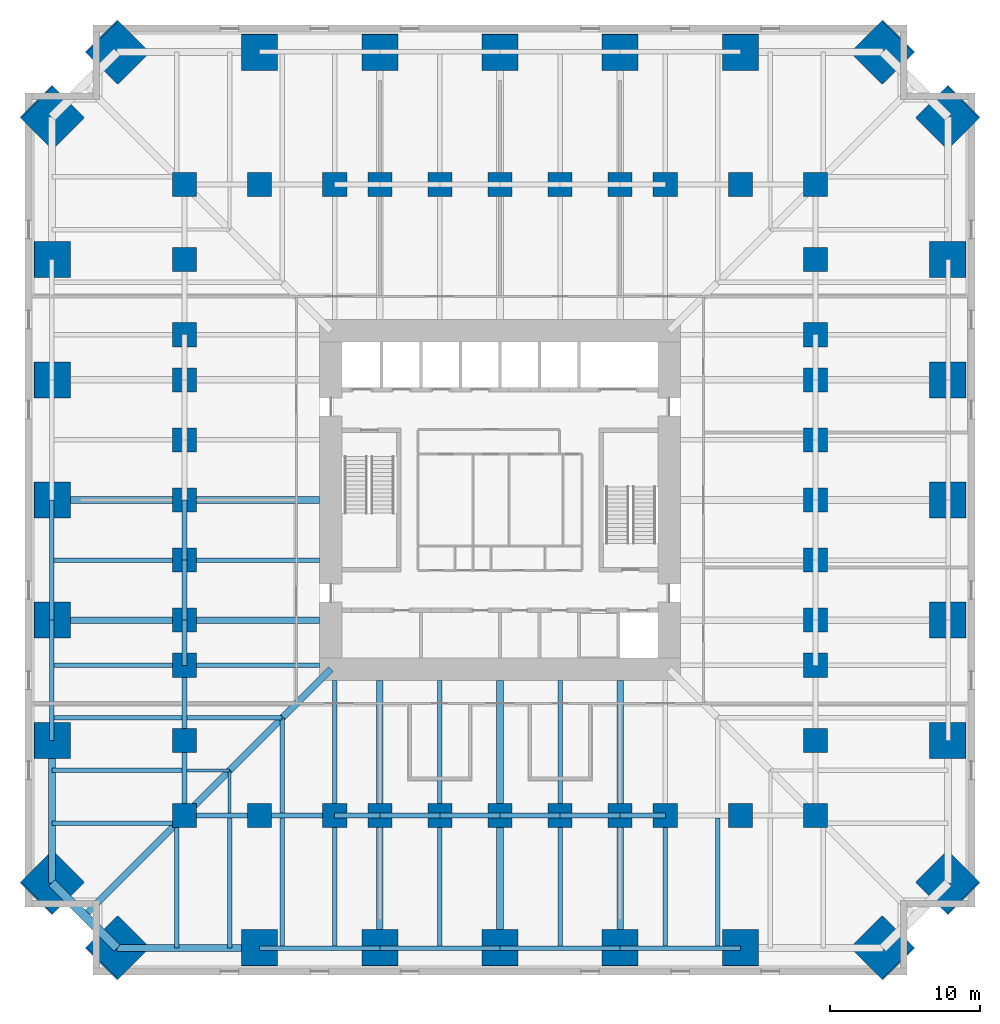
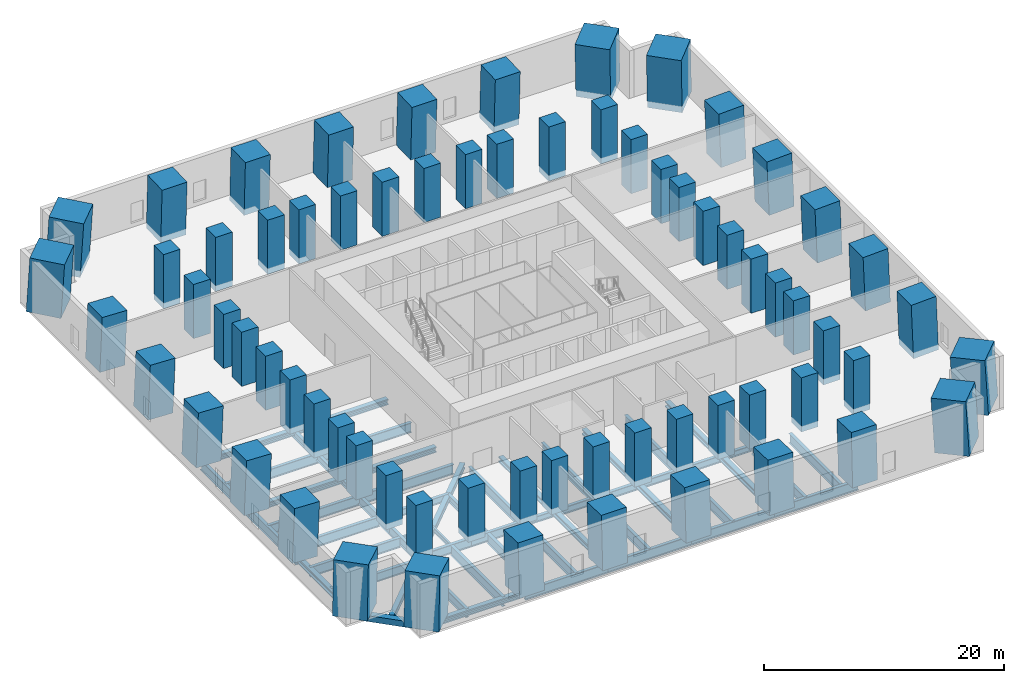
# One storey, part 1 of 8: 68 columns, 56 beams.
"""IFC4 building model written with IfcOpenShell, lengths in metres."""

from ifc_helpers import new_model, si_unit, direction, frame, origin, origin_2d, place, context, subcontext, project, spatial, rectangle, hollow_rectangle, i_section, extrude, material, material_profile, profile_set, type_object, element, save


model = new_model("IFC4")

# Units and contexts
model_context = context("Model", 3, precision=1e-05, world=origin(), true_north=direction((0.0, 1.0)))
body_context = subcontext(model_context, "Body", "Model", "MODEL_VIEW")
ifc_project = project(units=[si_unit("LENGTHUNIT", "METRE"), si_unit("AREAUNIT", "SQUARE_METRE"), si_unit("VOLUMEUNIT", "CUBIC_METRE"), si_unit("PLANEANGLEUNIT", "RADIAN"), si_unit("MASSUNIT", "GRAM", prefix="KILO")], contexts=[model_context])

# Site, building, storey
site_placement = place(None, origin())
site = spatial("IfcSite", under=ifc_project, at=site_placement, CompositionType="ELEMENT")
building_placement = place(site_placement, origin())
building = spatial("IfcBuilding", under=site, at=building_placement, Name="Peilmerk Tower", CompositionType="ELEMENT")
storey_placement = place(building_placement, frame((0.0, 0.0, 26.5)))
storey = spatial("IfcBuildingStorey", under=building, at=storey_placement, Name="L05", CompositionType="ELEMENT", Elevation=26.5)

# Columns
ifc_material_1 = material(Name="Concrete C90/105", Category="concrete")
ifc_material_profile_1 = material_profile(ifc_material_1, rectangle(XDim=3.0, YDim=3.0, at=origin_2d()), Name="RC 3000x3000")
ifc_profile_set_1 = profile_set([ifc_material_profile_1], Name="Concrete C90/105")
column_type_1 = type_object("IfcColumnType", Name="MC1 3000x3000 encased mega column", PredefinedType="COLUMN", material=ifc_profile_set_1)
for number, where, z_axis, x_axis, name in (
    (1, (25.478271484375, 29.828125, 0.0), (-0.040284325109, -0.04024000792, 0.998377641433), (0.706717512472, -0.707495835723, 0.0), "Mega column MC1 NE_N L05"),
    (2, (29.828125, 25.478271484375, 0.0), (-0.04024000792, -0.040284325109, 0.998377641433), (0.707495835723, -0.706717512472, 0.0), "Mega column MC1 NE_E L05"),
    (3, (29.828125, -25.478271484375, 0.0), (-0.04024000792, 0.040284325109, 0.998377641433), (-0.707495835723, -0.706717512472, 0.0), "Mega column MC1 SE_E L05"),
    (4, (25.478271484375, -29.828125, 0.0), (-0.040284325109, 0.04024000792, 0.998377641433), (-0.706717512472, -0.707495835723, 0.0), "Mega column MC1 SE_S L05"),
    (5, (-25.478271484375, -29.828125, 0.0), (0.040284325109, 0.04024000792, 0.998377641433), (-0.706717512472, 0.707495835723, 0.0), "Mega column MC1 SW_S L05"),
    (6, (-29.828125, -25.478271484375, 0.0), (0.04024000792, 0.040284325109, 0.998377641433), (-0.707495835723, 0.706717512472, 0.0), "Mega column MC1 SW_W L05"),
    (7, (-29.828125, 25.478271484375, 0.0), (0.04024000792, -0.040284325109, 0.998377641433), (0.707495835723, 0.706717512472, 0.0), "Mega column MC1 NW_W L05"),
    (8, (-25.478271484375, 29.828125, 0.0), (0.040284325109, -0.04024000792, 0.998377641433), (0.706717512472, 0.707495835723, 0.0), "Mega column MC1 NW_N L05"),
):
    element("IfcColumn", number, at=place(storey_placement, frame(where, z_axis=z_axis, x_axis=x_axis)), inside=storey, type_object=column_type_1, Name=name, PredefinedType="COLUMN", context=body_context, shape_type="SweptSolid", body=[
        extrude(rectangle(XDim=3.0, YDim=3.0, at=origin_2d()), origin(), (0.0, 0.0, 1.0), 5.509033203125),
    ])
ifc_material_profile_2 = material_profile(ifc_material_1, rectangle(XDim=2.39990234375, YDim=2.39990234375, at=origin_2d()), Name="RC 2400x2400")
ifc_profile_set_2 = profile_set([ifc_material_profile_2], Name="Concrete C90/105")
column_type_2 = type_object("IfcColumnType", Name="SC1 2400x2400 encased perimeter column", PredefinedType="COLUMN", material=ifc_profile_set_2)
for number, where, z_axis, x_axis, name in (
    (9, (0.0, 29.828125, 0.0), (0.0, -0.040272698997, 0.999188725775), (1.0, 0.0, 0.0), "Perimeter column N+0 L05"),
    (10, (8.0, 29.828125, 0.0), (0.0, -0.040272698997, 0.999188725775), (1.0, 0.0, 0.0), "Perimeter column N-8 L05"),
    (11, (-8.0, 29.828125, 0.0), (0.0, -0.040272698997, 0.999188725775), (1.0, 0.0, 0.0), "Perimeter column N+8 L05"),
    (12, (16.0, 29.828125, 0.0), (0.0, -0.040272698997, 0.999188725775), (1.0, 0.0, 0.0), "Perimeter column N-16 L05"),
    (13, (-16.0, 29.828125, 0.0), (0.0, -0.040272698997, 0.999188725775), (1.0, 0.0, 0.0), "Perimeter column N+16 L05"),
    (14, (29.828125, 0.0, 0.0), (-0.040272698997, 0.0, 0.999188725775), (0.0, -1.0, 0.0), "Perimeter column E+0 L05"),
    (15, (29.828125, -8.0, 0.0), (-0.040272698997, 0.0, 0.999188725775), (0.0, -1.0, 0.0), "Perimeter column E-8 L05"),
    (16, (29.828125, 8.0, 0.0), (-0.040272698997, 0.0, 0.999188725775), (0.0, -1.0, 0.0), "Perimeter column E+8 L05"),
    (17, (29.828125, -16.0, 0.0), (-0.040272698997, 0.0, 0.999188725775), (0.0, -1.0, 0.0), "Perimeter column E-16 L05"),
    (18, (29.828125, 16.0, 0.0), (-0.040272698997, 0.0, 0.999188725775), (0.0, -1.0, 0.0), "Perimeter column E+16 L05"),
    (19, (0.0, -29.828125, 0.0), (0.0, 0.040272698997, 0.999188725775), (-1.0, 0.0, 0.0), "Perimeter column S+0 L05"),
    (20, (-8.0, -29.828125, 0.0), (0.0, 0.040272698997, 0.999188725775), (-1.0, 0.0, 0.0), "Perimeter column S-8 L05"),
    (21, (8.0, -29.828125, 0.0), (0.0, 0.040272698997, 0.999188725775), (-1.0, 0.0, 0.0), "Perimeter column S+8 L05"),
    (22, (-16.0, -29.828125, 0.0), (0.0, 0.040272698997, 0.999188725775), (-1.0, 0.0, 0.0), "Perimeter column S-16 L05"),
    (23, (16.0, -29.828125, 0.0), (0.0, 0.040272698997, 0.999188725775), (-1.0, 0.0, 0.0), "Perimeter column S+16 L05"),
    (24, (-29.828125, 0.0, 0.0), (0.040272698997, 0.0, 0.999188725775), (0.0, 1.0, 0.0), "Perimeter column W+0 L05"),
    (25, (-29.828125, 8.0, 0.0), (0.040272698997, 0.0, 0.999188725775), (0.0, 1.0, 0.0), "Perimeter column W-8 L05"),
    (26, (-29.828125, -8.0, 0.0), (0.040272698997, 0.0, 0.999188725775), (0.0, 1.0, 0.0), "Perimeter column W+8 L05"),
    (27, (-29.828125, 16.0, 0.0), (0.040272698997, 0.0, 0.999188725775), (0.0, 1.0, 0.0), "Perimeter column W-16 L05"),
    (28, (-29.828125, -16.0, 0.0), (0.040272698997, 0.0, 0.999188725775), (0.0, 1.0, 0.0), "Perimeter column W+16 L05"),
):
    element("IfcColumn", number, at=place(storey_placement, frame(where, z_axis=z_axis, x_axis=x_axis)), inside=storey, type_object=column_type_2, Name=name, PredefinedType="COLUMN", context=body_context, shape_type="SweptSolid", body=[
        extrude(rectangle(XDim=2.39990234375, YDim=2.39990234375, at=origin_2d()), origin(), (0.0, 0.0, 1.0), 5.50439453125),
    ])
ifc_material_profile_3 = material_profile(ifc_material_1, rectangle(XDim=1.60009765625, YDim=1.60009765625, at=origin_2d()), Name="RC 1600x1600")
ifc_profile_set_3 = profile_set([ifc_material_profile_3], Name="Concrete C90/105")
column_type_3 = type_object("IfcColumnType", Name="SC2 1600x1600 encased interior column", PredefinedType="COLUMN", material=ifc_profile_set_3)
for number, where, z_axis, x_axis, name in (
    (29, (0.0, 21.0, 0.0), (0.0, 0.0, 1.0), (1.0, 0.0, 0.0), "Interior column N+0 L05"),
    (30, (4.0, 21.0, 0.0), (0.0, 0.0, 1.0), (1.0, 0.0, 0.0), "Interior column N-4 L05"),
    (31, (-4.0, 21.0, 0.0), (0.0, 0.0, 1.0), (1.0, 0.0, 0.0), "Interior column N+4 L05"),
    (32, (8.0, 21.0, 0.0), (0.0, 0.0, 1.0), (1.0, 0.0, 0.0), "Interior column N-8 L05"),
    (33, (-8.0, 21.0, 0.0), (0.0, 0.0, 1.0), (1.0, 0.0, 0.0), "Interior column N+8 L05"),
    (34, (11.0, 21.0, 0.0), (0.0, 0.0, 1.0), (1.0, 0.0, 0.0), "Interior column N-11 L05"),
    (35, (-11.0, 21.0, 0.0), (0.0, 0.0, 1.0), (1.0, 0.0, 0.0), "Interior column N+11 L05"),
    (36, (16.0, 21.0, 0.0), (0.0, 0.0, 1.0), (1.0, 0.0, 0.0), "Interior column N-16 L05"),
    (37, (-16.0, 21.0, 0.0), (0.0, 0.0, 1.0), (1.0, 0.0, 0.0), "Interior column N+16 L05"),
    (38, (21.0, 0.0, 0.0), (0.0, 0.0, 1.0), (1.0, 0.0, 0.0), "Interior column E+0 L05"),
    (39, (21.0, -4.0, 0.0), (0.0, 0.0, 1.0), (1.0, 0.0, 0.0), "Interior column E-4 L05"),
    (40, (21.0, 4.0, 0.0), (0.0, 0.0, 1.0), (1.0, 0.0, 0.0), "Interior column E+4 L05"),
    (41, (21.0, -8.0, 0.0), (0.0, 0.0, 1.0), (1.0, 0.0, 0.0), "Interior column E-8 L05"),
    (42, (21.0, 8.0, 0.0), (0.0, 0.0, 1.0), (1.0, 0.0, 0.0), "Interior column E+8 L05"),
    (43, (21.0, -11.0, 0.0), (0.0, 0.0, 1.0), (1.0, 0.0, 0.0), "Interior column E-11 L05"),
    (44, (21.0, 11.0, 0.0), (0.0, 0.0, 1.0), (1.0, 0.0, 0.0), "Interior column E+11 L05"),
    (45, (21.0, -16.0, 0.0), (0.0, 0.0, 1.0), (1.0, 0.0, 0.0), "Interior column E-16 L05"),
    (46, (21.0, 16.0, 0.0), (0.0, 0.0, 1.0), (1.0, 0.0, 0.0), "Interior column E+16 L05"),
    (47, (0.0, -21.0, 0.0), (0.0, 0.0, 1.0), (1.0, 0.0, 0.0), "Interior column S+0 L05"),
    (48, (-4.0, -21.0, 0.0), (0.0, 0.0, 1.0), (1.0, 0.0, 0.0), "Interior column S-4 L05"),
    (49, (4.0, -21.0, 0.0), (0.0, 0.0, 1.0), (1.0, 0.0, 0.0), "Interior column S+4 L05"),
    (50, (-8.0, -21.0, 0.0), (0.0, 0.0, 1.0), (1.0, 0.0, 0.0), "Interior column S-8 L05"),
    (51, (8.0, -21.0, 0.0), (0.0, 0.0, 1.0), (1.0, 0.0, 0.0), "Interior column S+8 L05"),
    (52, (-11.0, -21.0, 0.0), (0.0, 0.0, 1.0), (1.0, 0.0, 0.0), "Interior column S-11 L05"),
    (53, (11.0, -21.0, 0.0), (0.0, 0.0, 1.0), (1.0, 0.0, 0.0), "Interior column S+11 L05"),
    (54, (-16.0, -21.0, 0.0), (0.0, 0.0, 1.0), (1.0, 0.0, 0.0), "Interior column S-16 L05"),
    (55, (16.0, -21.0, 0.0), (0.0, 0.0, 1.0), (1.0, 0.0, 0.0), "Interior column S+16 L05"),
    (56, (-21.0, 0.0, 0.0), (0.0, 0.0, 1.0), (1.0, 0.0, 0.0), "Interior column W+0 L05"),
    (57, (-21.0, 4.0, 0.0), (0.0, 0.0, 1.0), (1.0, 0.0, 0.0), "Interior column W-4 L05"),
    (58, (-21.0, -4.0, 0.0), (0.0, 0.0, 1.0), (1.0, 0.0, 0.0), "Interior column W+4 L05"),
    (59, (-21.0, 8.0, 0.0), (0.0, 0.0, 1.0), (1.0, 0.0, 0.0), "Interior column W-8 L05"),
    (60, (-21.0, -8.0, 0.0), (0.0, 0.0, 1.0), (1.0, 0.0, 0.0), "Interior column W+8 L05"),
    (61, (-21.0, 11.0, 0.0), (0.0, 0.0, 1.0), (1.0, 0.0, 0.0), "Interior column W-11 L05"),
    (62, (-21.0, -11.0, 0.0), (0.0, 0.0, 1.0), (1.0, 0.0, 0.0), "Interior column W+11 L05"),
    (63, (-21.0, 16.0, 0.0), (0.0, 0.0, 1.0), (1.0, 0.0, 0.0), "Interior column W-16 L05"),
    (64, (-21.0, -16.0, 0.0), (0.0, 0.0, 1.0), (1.0, 0.0, 0.0), "Interior column W+16 L05"),
    (65, (21.0, 21.0, 0.0), (0.0, 0.0, 1.0), (1.0, 0.0, 0.0), "Interior column NE L05"),
    (66, (21.0, -21.0, 0.0), (0.0, 0.0, 1.0), (1.0, 0.0, 0.0), "Interior column SE L05"),
    (67, (-21.0, -21.0, 0.0), (0.0, 0.0, 1.0), (1.0, 0.0, 0.0), "Interior column SW L05"),
    (68, (-21.0, 21.0, 0.0), (0.0, 0.0, 1.0), (1.0, 0.0, 0.0), "Interior column NW L05"),
):
    element("IfcColumn", number, at=place(storey_placement, frame(where, z_axis=z_axis, x_axis=x_axis)), inside=storey, type_object=column_type_3, Name=name, PredefinedType="COLUMN", context=body_context, shape_type="SweptSolid", body=[
        extrude(rectangle(XDim=1.60009765625, YDim=1.60009765625, at=origin_2d()), origin(), (0.0, 0.0, 1.0), 5.5),
    ])

# Beams
ifc_material_2 = material(Name="Steel S355", Category="steel")
ifc_material_profile_4 = material_profile(ifc_material_2, i_section(OverallWidth=0.302001953125, OverallDepth=1.008056640625, WebThickness=0.02099609375, FlangeThickness=0.0400390625, at=origin_2d()), Name="HEM 1000")
ifc_profile_set_4 = profile_set([ifc_material_profile_4], Name="Steel S355")
beam_type_1 = type_object("IfcBeamType", Name="B1 HEM 1000 edge beam", PredefinedType="SPANDREL", material=ifc_profile_set_4)
for number, where, z_axis, x_axis, name in (
    (69, (-16.0, -29.828125, -0.7041015625), (1.0, 0.0, 0.0), (0.0, 1.0, 0.0), "Edge beam L05"),
    (70, (-8.0, -29.828125, -0.7041015625), (1.0, 0.0, 0.0), (0.0, 1.0, 0.0), "Edge beam L05"),
    (71, (0.0, -29.828125, -0.7041015625), (1.0, 0.0, 0.0), (0.0, 1.0, 0.0), "Edge beam L05"),
    (72, (8.0, -29.828125, -0.7041015625), (1.0, 0.0, 0.0), (0.0, 1.0, 0.0), "Edge beam L05"),
    (73, (-29.828125, 0.0, -0.7041015625), (0.0, -1.0, 0.0), (1.0, 0.0, 0.0), "Edge beam L05"),
    (74, (-29.828125, -8.0, -0.7041015625), (0.0, -1.0, 0.0), (1.0, 0.0, 0.0), "Edge beam L05"),
):
    element("IfcBeam", number, at=place(storey_placement, frame(where, z_axis=z_axis, x_axis=x_axis)), inside=storey, type_object=beam_type_1, Name=name, PredefinedType="SPANDREL", context=body_context, shape_type="SweptSolid", body=[
        extrude(i_section(OverallWidth=0.302001953125, OverallDepth=1.008056640625, WebThickness=0.02099609375, FlangeThickness=0.0400390625, at=origin_2d()), origin(), (0.0, 0.0, 1.0), 8.0),
    ])
ifc_material_profile_5 = material_profile(ifc_material_2, i_section(OverallWidth=0.300048828125, OverallDepth=0.989990234375, WebThickness=0.0166015625, FlangeThickness=0.031005859375, at=origin_2d()), Name="HEA 1000")
ifc_profile_set_5 = profile_set([ifc_material_profile_5], Name="Steel S355")
beam_type_2 = type_object("IfcBeamType", Name="B14 HEA 1000 floor girder", PredefinedType="BEAM", material=ifc_profile_set_5)
for number, where, z_axis, x_axis, name in (
    (75, (14.5, -21.15087890625, -0.695068359375), (0.0, -1.0, 0.0), (1.0, 0.0, 0.0), "Floor beam L05"),
    (76, (-14.5, -21.15087890625, -0.695068359375), (0.0, -1.0, 0.0), (1.0, 0.0, 0.0), "Floor beam L05"),
    (77, (-21.15087890625, -14.5, -0.695068359375), (-1.0, 0.0, 0.0), (0.0, -1.0, 0.0), "Floor beam L05"),
    (78, (-18.0, -21.15087890625, -0.695068359375), (0.0, -1.0, 0.0), (1.0, 0.0, 0.0), "Floor beam L05"),
    (79, (-21.15087890625, -18.0, -0.695068359375), (-1.0, 0.0, 0.0), (0.0, -1.0, 0.0), "Floor beam L05"),
):
    element("IfcBeam", number, at=place(storey_placement, frame(where, z_axis=z_axis, x_axis=x_axis)), inside=storey, type_object=beam_type_2, Name=name, PredefinedType="BEAM", context=body_context, shape_type="SweptSolid", body=[
        extrude(i_section(OverallWidth=0.300048828125, OverallDepth=0.989990234375, WebThickness=0.0166015625, FlangeThickness=0.031005859375, at=origin_2d()), origin(), (0.0, 0.0, 1.0), 8.67724609375),
    ])
ifc_material_profile_6 = material_profile(ifc_material_2, i_section(OverallWidth=0.300048828125, OverallDepth=0.68994140625, WebThickness=0.014404296875, FlangeThickness=0.027099609375, at=origin_2d()), Name="HEA 700")
ifc_profile_set_6 = profile_set([ifc_material_profile_6], Name="Steel S355")
beam_type_3 = type_object("IfcBeamType", Name="B16 HEA 700 floor beam", PredefinedType="BEAM", material=ifc_profile_set_6)
for number, where, z_axis, x_axis, name in (
    (80, (-14.5, -14.5, -0.544921875), (0.0, -1.0, 0.0), (1.0, 0.0, 0.0), "Floor beam L05"),
    (81, (-14.5, -14.5, -0.544921875), (-1.0, 0.0, 0.0), (0.0, -1.0, 0.0), "Floor beam L05"),
):
    element("IfcBeam", number, at=place(storey_placement, frame(where, z_axis=z_axis, x_axis=x_axis)), inside=storey, type_object=beam_type_3, Name=name, PredefinedType="BEAM", context=body_context, shape_type="SweptSolid", body=[
        extrude(i_section(OverallWidth=0.300048828125, OverallDepth=0.68994140625, WebThickness=0.014404296875, FlangeThickness=0.027099609375, at=origin_2d()), origin(), (0.0, 0.0, 1.0), 6.34912109375),
    ])
ifc_material_3 = material(Name="Steel S460", Category="steel")
ifc_material_profile_7 = material_profile(ifc_material_3, i_section(OverallWidth=0.4541015625, OverallDepth=0.569091796875, WebThickness=0.077880859375, FlangeThickness=0.125, at=origin_2d()), Name="HD 400x1086")
ifc_profile_set_7 = profile_set([ifc_material_profile_7], Name="Steel S460")
beam_type_4 = type_object("IfcBeamType", Name="B17 HD 400x1086 edge beam", PredefinedType="SPANDREL", material=ifc_profile_set_7)
for number, where, z_axis, x_axis, name in (
    (82, (-25.478271484375, -29.828125, -0.484619140625), (1.0, 0.0, 0.0), (0.0, 1.0, 0.0), "Edge beam L05"),
    (83, (-29.828125, -16.0, -0.484619140625), (0.0, -1.0, 0.0), (1.0, 0.0, 0.0), "Edge beam L05"),
):
    element("IfcBeam", number, at=place(storey_placement, frame(where, z_axis=z_axis, x_axis=x_axis)), inside=storey, type_object=beam_type_4, Name=name, PredefinedType="SPANDREL", context=body_context, shape_type="SweptSolid", body=[
        extrude(i_section(OverallWidth=0.4541015625, OverallDepth=0.569091796875, WebThickness=0.077880859375, FlangeThickness=0.125, at=origin_2d()), origin(), (0.0, 0.0, 1.0), 9.478271484375),
    ])
ifc_material_profile_8 = material_profile(ifc_material_2, i_section(OverallWidth=0.302001953125, OverallDepth=0.909912109375, WebThickness=0.02099609375, FlangeThickness=0.0400390625, at=origin_2d()), Name="HEM 900")
ifc_profile_set_8 = profile_set([ifc_material_profile_8], Name="Steel S355")
beam_type_5 = type_object("IfcBeamType", Name="B18 HEM 900 ring girder", PredefinedType="BEAM", material=ifc_profile_set_8)
for number, where, z_axis, x_axis, name in (
    (84, (-21.0, -21.0, -0.655029296875), (1.0, 0.0, 0.0), (0.0, 1.0, 0.0), "Ring girder L05"),
    (85, (-16.0, -21.0, -0.655029296875), (1.0, 0.0, 0.0), (0.0, 1.0, 0.0), "Ring girder L05"),
    (86, (-21.0, -11.0, -0.655029296875), (0.0, -1.0, 0.0), (1.0, 0.0, 0.0), "Ring girder L05"),
    (87, (-21.0, -16.0, -0.655029296875), (0.0, -1.0, 0.0), (1.0, 0.0, 0.0), "Ring girder L05"),
):
    element("IfcBeam", number, at=place(storey_placement, frame(where, z_axis=z_axis, x_axis=x_axis)), inside=storey, type_object=beam_type_5, Name=name, PredefinedType="BEAM", context=body_context, shape_type="SweptSolid", body=[
        extrude(i_section(OverallWidth=0.302001953125, OverallDepth=0.909912109375, WebThickness=0.02099609375, FlangeThickness=0.0400390625, at=origin_2d()), origin(), (0.0, 0.0, 1.0), 5.0),
    ])
ifc_material_profile_9 = material_profile(ifc_material_2, i_section(OverallWidth=0.303955078125, OverallDepth=0.716064453125, WebThickness=0.02099609375, FlangeThickness=0.0400390625, at=origin_2d()), Name="HEM 700")
ifc_profile_set_9 = profile_set([ifc_material_profile_9], Name="Steel S355")
beam_type_6 = type_object("IfcBeamType", Name="B19 HEM 700 ring girder", PredefinedType="BEAM", material=ifc_profile_set_9)
for number, where, z_axis, x_axis, name in (
    (88, (-8.0, -21.0, -0.55810546875), (1.0, 0.0, 0.0), (0.0, 1.0, 0.0), "Ring girder L05"),
    (89, (-4.0, -21.0, -0.55810546875), (1.0, 0.0, 0.0), (0.0, 1.0, 0.0), "Ring girder L05"),
    (90, (0.0, -21.0, -0.55810546875), (1.0, 0.0, 0.0), (0.0, 1.0, 0.0), "Ring girder L05"),
    (91, (4.0, -21.0, -0.55810546875), (1.0, 0.0, 0.0), (0.0, 1.0, 0.0), "Ring girder L05"),
    (92, (-21.0, 0.0, -0.55810546875), (0.0, -1.0, 0.0), (1.0, 0.0, 0.0), "Ring girder L05"),
    (93, (-21.0, -4.0, -0.55810546875), (0.0, -1.0, 0.0), (1.0, 0.0, 0.0), "Ring girder L05"),
):
    element("IfcBeam", number, at=place(storey_placement, frame(where, z_axis=z_axis, x_axis=x_axis)), inside=storey, type_object=beam_type_6, Name=name, PredefinedType="BEAM", context=body_context, shape_type="SweptSolid", body=[
        extrude(i_section(OverallWidth=0.303955078125, OverallDepth=0.716064453125, WebThickness=0.02099609375, FlangeThickness=0.0400390625, at=origin_2d()), origin(), (0.0, 0.0, 1.0), 4.0),
    ])
ifc_material_profile_10 = material_profile(ifc_material_3, hollow_rectangle(XDim=0.60009765625, YDim=0.60009765625, WallThickness=0.06005859375, at=origin_2d()), Name="BOX 600x600x60")
ifc_profile_set_10 = profile_set([ifc_material_profile_10], Name="Steel S460")
beam_type_7 = type_object("IfcBeamType", Name="B20 BOX 600x600x60 notch beam", PredefinedType="SPANDREL", material=ifc_profile_set_10)
beam_1_placement = place(storey_placement, frame((-25.478271484375, -29.828125, -0.5), z_axis=(-0.707106781187, 0.707106781187, 0.0), x_axis=(-0.707106781187, -0.707106781187, 0.0)))
element("IfcBeam", 94, at=beam_1_placement, inside=storey, type_object=beam_type_7, Name="Notch beam L05", PredefinedType="SPANDREL", context=body_context, shape_type="SweptSolid", body=[
    extrude(hollow_rectangle(XDim=0.60009765625, YDim=0.60009765625, WallThickness=0.06005859375, at=origin_2d()), origin(), (0.0, 0.0, 1.0), 6.151611328125),
])
ifc_material_profile_11 = material_profile(ifc_material_2, i_section(OverallWidth=0.18994140625, OverallDepth=0.449951171875, WebThickness=0.009521484375, FlangeThickness=0.0146484375, at=origin_2d()), Name="IPE 450")
ifc_profile_set_11 = profile_set([ifc_material_profile_11], Name="Steel S355")
beam_type_8 = type_object("IfcBeamType", Name="B21 IPE 450 floor beam", PredefinedType="BEAM", material=ifc_profile_set_11)
for number, where, z_axis, x_axis, name in (
    (95, (-18.0, -18.0, -0.425048828125), (0.0, -1.0, 0.0), (1.0, 0.0, 0.0), "Floor beam L05"),
    (96, (-18.0, -18.0, -0.425048828125), (-1.0, 0.0, 0.0), (0.0, -1.0, 0.0), "Floor beam L05"),
):
    element("IfcBeam", number, at=place(storey_placement, frame(where, z_axis=z_axis, x_axis=x_axis)), inside=storey, type_object=beam_type_8, Name=name, PredefinedType="BEAM", context=body_context, shape_type="SweptSolid", body=[
        extrude(i_section(OverallWidth=0.18994140625, OverallDepth=0.449951171875, WebThickness=0.009521484375, FlangeThickness=0.0146484375, at=origin_2d()), origin(), (0.0, 0.0, 1.0), 2.84912109375),
    ])
ifc_material_profile_12 = material_profile(ifc_material_2, i_section(OverallWidth=0.300048828125, OverallDepth=0.889892578125, WebThickness=0.01611328125, FlangeThickness=0.030029296875, at=origin_2d()), Name="HEA 900")
ifc_profile_set_12 = profile_set([ifc_material_profile_12], Name="Steel S355")
beam_type_9 = type_object("IfcBeamType", Name="B4 HEA 900 floor beam", PredefinedType="BEAM", material=ifc_profile_set_12)
for number, where, z_axis, x_axis, name in (
    (97, (-21.5, -21.5, -0.64501953125), (0.0, -1.0, 0.0), (1.0, 0.0, 0.0), "Floor beam L05"),
    (98, (-21.5, -21.5, -0.64501953125), (-1.0, 0.0, 0.0), (0.0, -1.0, 0.0), "Floor beam L05"),
):
    element("IfcBeam", number, at=place(storey_placement, frame(where, z_axis=z_axis, x_axis=x_axis)), inside=storey, type_object=beam_type_9, Name=name, PredefinedType="BEAM", context=body_context, shape_type="SweptSolid", body=[
        extrude(i_section(OverallWidth=0.300048828125, OverallDepth=0.889892578125, WebThickness=0.01611328125, FlangeThickness=0.030029296875, at=origin_2d()), origin(), (0.0, 0.0, 1.0), 8.328125),
    ])
ifc_material_profile_13 = material_profile(ifc_material_2, i_section(OverallWidth=0.300048828125, OverallDepth=1.0, WebThickness=0.01904296875, FlangeThickness=0.035888671875, at=origin_2d()), Name="HEB 1000")
ifc_profile_set_13 = profile_set([ifc_material_profile_13], Name="Steel S355")
beam_type_10 = type_object("IfcBeamType", Name="B5 HEB 1000 floor girder", PredefinedType="BEAM", material=ifc_profile_set_13)
beam_2_placement = place(storey_placement, frame((-11.0, -12.0, -0.699951171875), z_axis=(0.0, -1.0, 0.0), x_axis=(1.0, 0.0, 0.0)))
element("IfcBeam", 99, at=beam_2_placement, inside=storey, type_object=beam_type_10, Name="Floor beam L05", PredefinedType="BEAM", context=body_context, shape_type="SweptSolid", body=[
    extrude(i_section(OverallWidth=0.300048828125, OverallDepth=1.0, WebThickness=0.01904296875, FlangeThickness=0.035888671875, at=origin_2d()), origin(), (0.0, 0.0, 1.0), 9.0),
])
beam_3_placement = place(storey_placement, frame((-11.0, -21.0, -0.699951171875), z_axis=(0.0, -1.0, 0.0), x_axis=(1.0, 0.0, 0.0)))
element("IfcBeam", 100, at=beam_3_placement, inside=storey, type_object=beam_type_10, Name="Floor beam L05", PredefinedType="BEAM", context=body_context, shape_type="SweptSolid", body=[
    extrude(i_section(OverallWidth=0.300048828125, OverallDepth=1.0, WebThickness=0.01904296875, FlangeThickness=0.035888671875, at=origin_2d()), origin(), (0.0, 0.0, 1.0), 8.828125),
])
beam_4_placement = place(storey_placement, frame((-4.0, -12.0, -0.699951171875), z_axis=(0.0, -1.0, 0.0), x_axis=(1.0, 0.0, 0.0)))
element("IfcBeam", 101, at=beam_4_placement, inside=storey, type_object=beam_type_10, Name="Floor beam L05", PredefinedType="BEAM", context=body_context, shape_type="SweptSolid", body=[
    extrude(i_section(OverallWidth=0.300048828125, OverallDepth=1.0, WebThickness=0.01904296875, FlangeThickness=0.035888671875, at=origin_2d()), origin(), (0.0, 0.0, 1.0), 9.0),
])
beam_5_placement = place(storey_placement, frame((-4.0, -21.0, -0.699951171875), z_axis=(0.0, -1.0, 0.0), x_axis=(1.0, 0.0, 0.0)))
element("IfcBeam", 102, at=beam_5_placement, inside=storey, type_object=beam_type_10, Name="Floor beam L05", PredefinedType="BEAM", context=body_context, shape_type="SweptSolid", body=[
    extrude(i_section(OverallWidth=0.300048828125, OverallDepth=1.0, WebThickness=0.01904296875, FlangeThickness=0.035888671875, at=origin_2d()), origin(), (0.0, 0.0, 1.0), 8.828125),
])
beam_6_placement = place(storey_placement, frame((4.0, -12.0, -0.699951171875), z_axis=(0.0, -1.0, 0.0), x_axis=(1.0, 0.0, 0.0)))
element("IfcBeam", 103, at=beam_6_placement, inside=storey, type_object=beam_type_10, Name="Floor beam L05", PredefinedType="BEAM", context=body_context, shape_type="SweptSolid", body=[
    extrude(i_section(OverallWidth=0.300048828125, OverallDepth=1.0, WebThickness=0.01904296875, FlangeThickness=0.035888671875, at=origin_2d()), origin(), (0.0, 0.0, 1.0), 9.0),
])
for number, where, z_axis, x_axis, name in (
    (104, (4.0, -21.0, -0.699951171875), (0.0, -1.0, 0.0), (1.0, 0.0, 0.0), "Floor beam L05"),
    (105, (11.0, -21.0, -0.699951171875), (0.0, -1.0, 0.0), (1.0, 0.0, 0.0), "Floor beam L05"),
):
    element("IfcBeam", number, at=place(storey_placement, frame(where, z_axis=z_axis, x_axis=x_axis)), inside=storey, type_object=beam_type_10, Name=name, PredefinedType="BEAM", context=body_context, shape_type="SweptSolid", body=[
        extrude(i_section(OverallWidth=0.300048828125, OverallDepth=1.0, WebThickness=0.01904296875, FlangeThickness=0.035888671875, at=origin_2d()), origin(), (0.0, 0.0, 1.0), 8.828125),
    ])
beam_7_placement = place(storey_placement, frame((-12.0, -4.0, -0.699951171875), z_axis=(-1.0, 0.0, 0.0), x_axis=(0.0, -1.0, 0.0)))
element("IfcBeam", 106, at=beam_7_placement, inside=storey, type_object=beam_type_10, Name="Floor beam L05", PredefinedType="BEAM", context=body_context, shape_type="SweptSolid", body=[
    extrude(i_section(OverallWidth=0.300048828125, OverallDepth=1.0, WebThickness=0.01904296875, FlangeThickness=0.035888671875, at=origin_2d()), origin(), (0.0, 0.0, 1.0), 9.0),
])
beam_8_placement = place(storey_placement, frame((-21.0, -4.0, -0.699951171875), z_axis=(-1.0, 0.0, 0.0), x_axis=(0.0, -1.0, 0.0)))
element("IfcBeam", 107, at=beam_8_placement, inside=storey, type_object=beam_type_10, Name="Floor beam L05", PredefinedType="BEAM", context=body_context, shape_type="SweptSolid", body=[
    extrude(i_section(OverallWidth=0.300048828125, OverallDepth=1.0, WebThickness=0.01904296875, FlangeThickness=0.035888671875, at=origin_2d()), origin(), (0.0, 0.0, 1.0), 8.828125),
])
beam_9_placement = place(storey_placement, frame((-12.0, -11.0, -0.699951171875), z_axis=(-1.0, 0.0, 0.0), x_axis=(0.0, -1.0, 0.0)))
element("IfcBeam", 108, at=beam_9_placement, inside=storey, type_object=beam_type_10, Name="Floor beam L05", PredefinedType="BEAM", context=body_context, shape_type="SweptSolid", body=[
    extrude(i_section(OverallWidth=0.300048828125, OverallDepth=1.0, WebThickness=0.01904296875, FlangeThickness=0.035888671875, at=origin_2d()), origin(), (0.0, 0.0, 1.0), 9.0),
])
beam_10_placement = place(storey_placement, frame((-21.0, -11.0, -0.699951171875), z_axis=(-1.0, 0.0, 0.0), x_axis=(0.0, -1.0, 0.0)))
element("IfcBeam", 109, at=beam_10_placement, inside=storey, type_object=beam_type_10, Name="Floor beam L05", PredefinedType="BEAM", context=body_context, shape_type="SweptSolid", body=[
    extrude(i_section(OverallWidth=0.300048828125, OverallDepth=1.0, WebThickness=0.01904296875, FlangeThickness=0.035888671875, at=origin_2d()), origin(), (0.0, 0.0, 1.0), 8.828125),
])
ifc_material_profile_14 = material_profile(ifc_material_2, i_section(OverallWidth=0.304931640625, OverallDepth=0.6201171875, WebThickness=0.02099609375, FlangeThickness=0.0400390625, at=origin_2d()), Name="HEM 600")
ifc_profile_set_14 = profile_set([ifc_material_profile_14], Name="Steel S355")
beam_type_11 = type_object("IfcBeamType", Name="B6 HEM 600 ring girder", PredefinedType="BEAM", material=ifc_profile_set_14)
for number, where, z_axis, x_axis, name in (
    (110, (-11.0, -21.0, -0.510009765625), (1.0, 0.0, 0.0), (0.0, 1.0, 0.0), "Ring girder L05"),
    (111, (8.0, -21.0, -0.510009765625), (1.0, 0.0, 0.0), (0.0, 1.0, 0.0), "Ring girder L05"),
    (112, (-21.0, -8.0, -0.510009765625), (0.0, -1.0, 0.0), (1.0, 0.0, 0.0), "Ring girder L05"),
):
    element("IfcBeam", number, at=place(storey_placement, frame(where, z_axis=z_axis, x_axis=x_axis)), inside=storey, type_object=beam_type_11, Name=name, PredefinedType="BEAM", context=body_context, shape_type="SweptSolid", body=[
        extrude(i_section(OverallWidth=0.304931640625, OverallDepth=0.6201171875, WebThickness=0.02099609375, FlangeThickness=0.0400390625, at=origin_2d()), origin(), (0.0, 0.0, 1.0), 3.0),
    ])
ifc_material_profile_15 = material_profile(ifc_material_3, i_section(OverallWidth=0.4541015625, OverallDepth=0.569091796875, WebThickness=0.077880859375, FlangeThickness=0.125, at=origin_2d()), Name="HD 400x1086")
ifc_profile_set_15 = profile_set([ifc_material_profile_15], Name="Steel S460")
beam_type_12 = type_object("IfcBeamType", Name="B9 HD 400x1086 corner girder", PredefinedType="BEAM", material=ifc_profile_set_15)
beam_11_placement = place(storey_placement, frame((-8.0, -12.0, -0.484619140625), z_axis=(0.0, -1.0, 0.0), x_axis=(1.0, 0.0, 0.0)))
element("IfcBeam", 113, at=beam_11_placement, inside=storey, type_object=beam_type_12, Name="Floor girder L05", PredefinedType="BEAM", context=body_context, shape_type="SweptSolid", body=[
    extrude(i_section(OverallWidth=0.4541015625, OverallDepth=0.569091796875, WebThickness=0.077880859375, FlangeThickness=0.125, at=origin_2d()), origin(), (0.0, 0.0, 1.0), 9.0),
])
beam_12_placement = place(storey_placement, frame((-8.0, -21.0, -0.484619140625), z_axis=(0.0, -1.0, 0.0), x_axis=(1.0, 0.0, 0.0)))
element("IfcBeam", 114, at=beam_12_placement, inside=storey, type_object=beam_type_12, Name="Floor girder L05", PredefinedType="BEAM", context=body_context, shape_type="SweptSolid", body=[
    extrude(i_section(OverallWidth=0.4541015625, OverallDepth=0.569091796875, WebThickness=0.077880859375, FlangeThickness=0.125, at=origin_2d()), origin(), (0.0, 0.0, 1.0), 8.828125),
])
beam_13_placement = place(storey_placement, frame((0.0, -12.0, -0.484619140625), z_axis=(0.0, -1.0, 0.0), x_axis=(1.0, 0.0, 0.0)))
element("IfcBeam", 115, at=beam_13_placement, inside=storey, type_object=beam_type_12, Name="Floor girder L05", PredefinedType="BEAM", context=body_context, shape_type="SweptSolid", body=[
    extrude(i_section(OverallWidth=0.4541015625, OverallDepth=0.569091796875, WebThickness=0.077880859375, FlangeThickness=0.125, at=origin_2d()), origin(), (0.0, 0.0, 1.0), 9.0),
])
beam_14_placement = place(storey_placement, frame((0.0, -21.0, -0.484619140625), z_axis=(0.0, -1.0, 0.0), x_axis=(1.0, 0.0, 0.0)))
element("IfcBeam", 116, at=beam_14_placement, inside=storey, type_object=beam_type_12, Name="Floor girder L05", PredefinedType="BEAM", context=body_context, shape_type="SweptSolid", body=[
    extrude(i_section(OverallWidth=0.4541015625, OverallDepth=0.569091796875, WebThickness=0.077880859375, FlangeThickness=0.125, at=origin_2d()), origin(), (0.0, 0.0, 1.0), 8.828125),
])
beam_15_placement = place(storey_placement, frame((8.0, -12.0, -0.484619140625), z_axis=(0.0, -1.0, 0.0), x_axis=(1.0, 0.0, 0.0)))
element("IfcBeam", 117, at=beam_15_placement, inside=storey, type_object=beam_type_12, Name="Floor girder L05", PredefinedType="BEAM", context=body_context, shape_type="SweptSolid", body=[
    extrude(i_section(OverallWidth=0.4541015625, OverallDepth=0.569091796875, WebThickness=0.077880859375, FlangeThickness=0.125, at=origin_2d()), origin(), (0.0, 0.0, 1.0), 9.0),
])
beam_16_placement = place(storey_placement, frame((8.0, -21.0, -0.484619140625), z_axis=(0.0, -1.0, 0.0), x_axis=(1.0, 0.0, 0.0)))
element("IfcBeam", 118, at=beam_16_placement, inside=storey, type_object=beam_type_12, Name="Floor girder L05", PredefinedType="BEAM", context=body_context, shape_type="SweptSolid", body=[
    extrude(i_section(OverallWidth=0.4541015625, OverallDepth=0.569091796875, WebThickness=0.077880859375, FlangeThickness=0.125, at=origin_2d()), origin(), (0.0, 0.0, 1.0), 8.828125),
])
beam_17_placement = place(storey_placement, frame((-12.0, 0.0, -0.484619140625), z_axis=(-1.0, 0.0, 0.0), x_axis=(0.0, -1.0, 0.0)))
element("IfcBeam", 119, at=beam_17_placement, inside=storey, type_object=beam_type_12, Name="Floor girder L05", PredefinedType="BEAM", context=body_context, shape_type="SweptSolid", body=[
    extrude(i_section(OverallWidth=0.4541015625, OverallDepth=0.569091796875, WebThickness=0.077880859375, FlangeThickness=0.125, at=origin_2d()), origin(), (0.0, 0.0, 1.0), 9.0),
])
beam_18_placement = place(storey_placement, frame((-21.0, 0.0, -0.484619140625), z_axis=(-1.0, 0.0, 0.0), x_axis=(0.0, -1.0, 0.0)))
element("IfcBeam", 120, at=beam_18_placement, inside=storey, type_object=beam_type_12, Name="Floor girder L05", PredefinedType="BEAM", context=body_context, shape_type="SweptSolid", body=[
    extrude(i_section(OverallWidth=0.4541015625, OverallDepth=0.569091796875, WebThickness=0.077880859375, FlangeThickness=0.125, at=origin_2d()), origin(), (0.0, 0.0, 1.0), 8.828125),
])
beam_19_placement = place(storey_placement, frame((-12.0, -8.0, -0.484619140625), z_axis=(-1.0, 0.0, 0.0), x_axis=(0.0, -1.0, 0.0)))
element("IfcBeam", 121, at=beam_19_placement, inside=storey, type_object=beam_type_12, Name="Floor girder L05", PredefinedType="BEAM", context=body_context, shape_type="SweptSolid", body=[
    extrude(i_section(OverallWidth=0.4541015625, OverallDepth=0.569091796875, WebThickness=0.077880859375, FlangeThickness=0.125, at=origin_2d()), origin(), (0.0, 0.0, 1.0), 9.0),
])
beam_20_placement = place(storey_placement, frame((-21.0, -8.0, -0.484619140625), z_axis=(-1.0, 0.0, 0.0), x_axis=(0.0, -1.0, 0.0)))
element("IfcBeam", 122, at=beam_20_placement, inside=storey, type_object=beam_type_12, Name="Floor girder L05", PredefinedType="BEAM", context=body_context, shape_type="SweptSolid", body=[
    extrude(i_section(OverallWidth=0.4541015625, OverallDepth=0.569091796875, WebThickness=0.077880859375, FlangeThickness=0.125, at=origin_2d()), origin(), (0.0, 0.0, 1.0), 8.828125),
])
beam_21_placement = place(storey_placement, frame((-11.25, -11.25, -0.484619140625), z_axis=(-0.707106781187, -0.707106781187, 0.0), x_axis=(0.707106781187, -0.707106781187, 0.0)))
element("IfcBeam", 123, at=beam_21_placement, inside=storey, type_object=beam_type_12, Name="Corner girder L05", PredefinedType="BEAM", context=body_context, shape_type="SweptSolid", body=[
    extrude(i_section(OverallWidth=0.4541015625, OverallDepth=0.569091796875, WebThickness=0.077880859375, FlangeThickness=0.125, at=origin_2d()), origin(), (0.0, 0.0, 1.0), 13.78857421875),
])
beam_22_placement = place(storey_placement, frame((-21.0, -21.0, -0.484619140625), z_axis=(-0.707106781187, -0.707106781187, 0.0), x_axis=(0.707106781187, -0.707106781187, 0.0)))
element("IfcBeam", 124, at=beam_22_placement, inside=storey, type_object=beam_type_12, Name="Corner girder L05", PredefinedType="BEAM", context=body_context, shape_type="SweptSolid", body=[
    extrude(i_section(OverallWidth=0.4541015625, OverallDepth=0.569091796875, WebThickness=0.077880859375, FlangeThickness=0.125, at=origin_2d()), origin(), (0.0, 0.0, 1.0), 9.4091796875),
])

save(model, "model.ifc")
